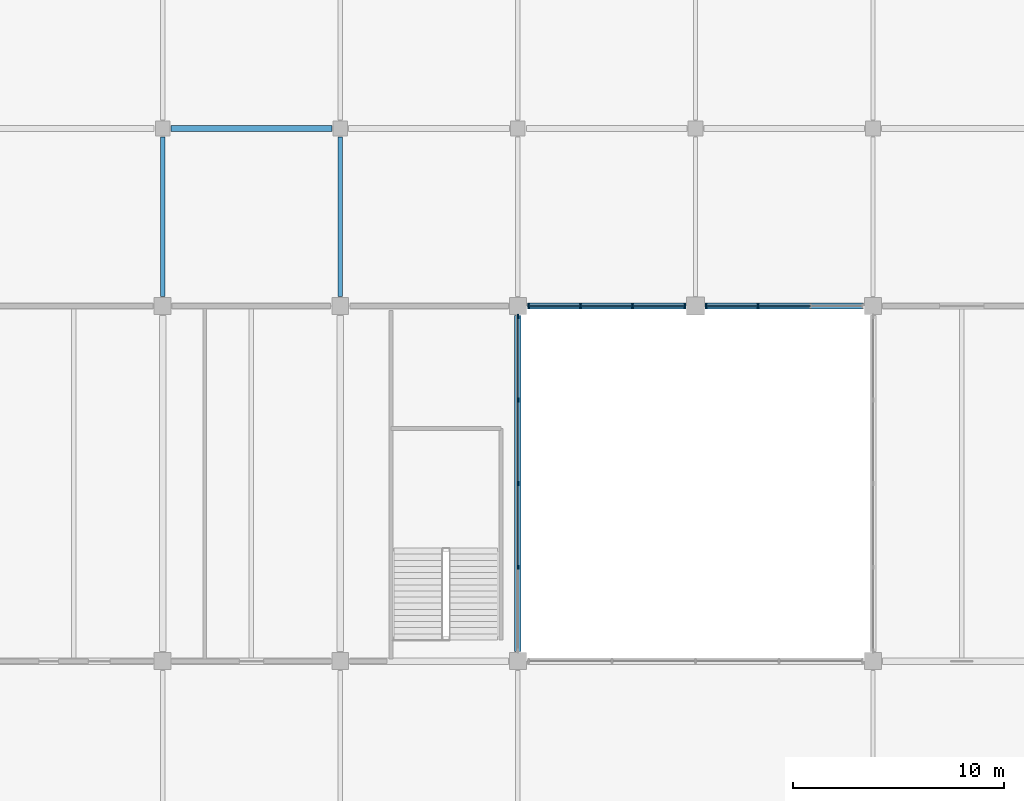
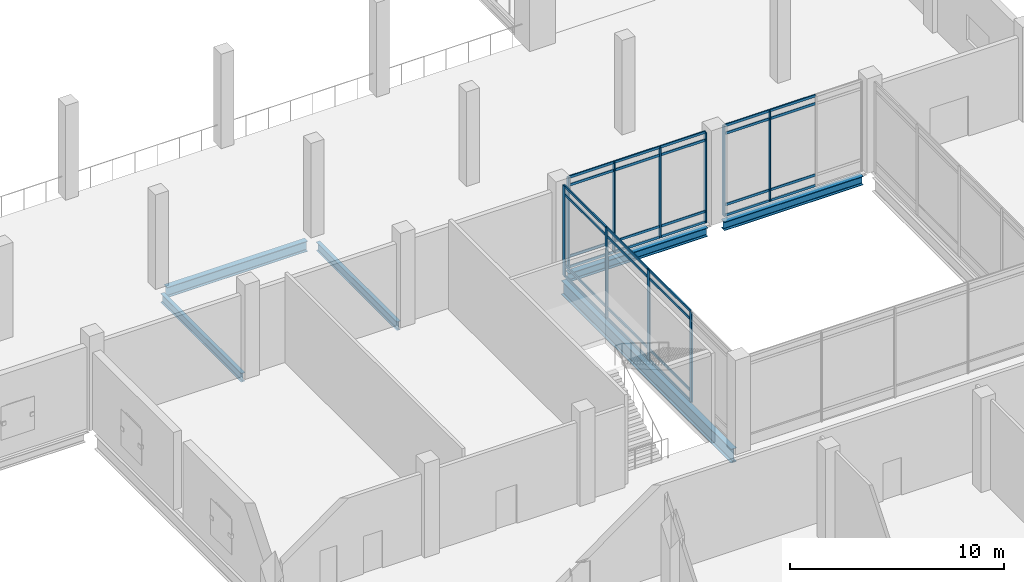
# One storey, part 5 of 72: 42 members, 6 beams, 3 elements without a shape of their own.
"""IFC4 building model written with IfcOpenShell, lengths in metres."""

from ifc_helpers import new_model, si_unit, direction, frame, origin, origin_2d, place, context, subcontext, project, spatial, rectangle, i_section, extrude, material, layer, layer_set, material_profile, profile_set, type_object, element, aggregate, save


model = new_model("IFC4")

# Units and contexts
model_context = context("Model", 3, precision=1e-05, world=origin(), true_north=direction((0.0, 1.0)))
body_context = subcontext(model_context, "Body", "Model", "MODEL_VIEW")
ifc_project = project(units=[si_unit("LENGTHUNIT", "METRE"), si_unit("AREAUNIT", "SQUARE_METRE"), si_unit("VOLUMEUNIT", "CUBIC_METRE"), si_unit("PLANEANGLEUNIT", "RADIAN"), si_unit("MASSUNIT", "GRAM", prefix="KILO")], contexts=[model_context])

# Site, building, storey
site_placement = place(None, origin())
site = spatial("IfcSite", under=ifc_project, at=site_placement, CompositionType="ELEMENT")
building_placement = place(site_placement, origin())
building = spatial("IfcBuilding", under=site, at=building_placement, Name="Qawsi Khor Wholesale Market", CompositionType="ELEMENT")
storey_placement = place(building_placement, frame((0.0, 0.0, 6.0)))
storey = spatial("IfcBuildingStorey", under=building, at=storey_placement, Name="L01", CompositionType="ELEMENT", Elevation=6.0)

# Curtain wall, members
ifc_material_1 = material(Name="Aluminium Anodised Bronze", Category="aluminium")
ifc_layer = layer(ifc_material_1, 0.179931640625, Name="Aluminium Anodised Bronze")
ifc_layer_set = layer_set([ifc_layer], Name="Aluminium Anodised Bronze")
curtain_wall_type = type_object("IfcCurtainWallType", Name="Atrium Full-Height Curtain Wall CW-02", PredefinedType="NOTDEFINED", material=ifc_layer_set)
curtain_wall_1_placement = place(storey_placement, origin())
curtain_wall_1 = element("IfcCurtainWall", 1, at=curtain_wall_1_placement, inside=storey, type_object=curtain_wall_type, Name="Curtain wall CW-CW-02-L01-017", PredefinedType="NOTDEFINED")
ifc_material_profile_1 = material_profile(ifc_material_1, rectangle(XDim=0.070068359375, YDim=0.199951171875, at=origin_2d()), Name="ALU MULLION 70x200")
ifc_profile_set_1 = profile_set([ifc_material_profile_1], Name="Aluminium Anodised Bronze")
member_type_1 = type_object("IfcMemberType", Name="Curtain Wall Mullion CW-02 ALU MULLION 70x200", PredefinedType="MULLION", material=ifc_profile_set_1)
member_1_placement = place(storey_placement, frame((50.89501953125, 42.0, -0.02001953125), z_axis=(0.0, 0.0, 1.0), x_axis=(1.0, 0.0, 0.0)))
member_1 = element("IfcMember", 2, at=member_1_placement, type_object=member_type_1, Name="Mullion CW-CW-02-L01-017-M00", PredefinedType="MULLION", context=body_context, shape_type="SweptSolid", body=[
    extrude(rectangle(XDim=0.070068359375, YDim=0.199951171875, at=origin_2d()), origin(), (0.0, 0.0, 1.0), 5.14013671875),
])
member_2_placement = place(storey_placement, frame((53.364990234375, 42.0, -0.02001953125), z_axis=(0.0, 0.0, 1.0), x_axis=(1.0, 0.0, 0.0)))
member_2 = element("IfcMember", 3, at=member_2_placement, type_object=member_type_1, Name="Mullion CW-CW-02-L01-017-M01", PredefinedType="MULLION", context=body_context, shape_type="SweptSolid", body=[
    extrude(rectangle(XDim=0.070068359375, YDim=0.199951171875, at=origin_2d()), origin(), (0.0, 0.0, 1.0), 5.14013671875),
])
member_3_placement = place(storey_placement, frame((55.8349609375, 42.0, -0.02001953125), z_axis=(0.0, 0.0, 1.0), x_axis=(1.0, 0.0, 0.0)))
member_3 = element("IfcMember", 4, at=member_3_placement, type_object=member_type_1, Name="Mullion CW-CW-02-L01-017-M02", PredefinedType="MULLION", context=body_context, shape_type="SweptSolid", body=[
    extrude(rectangle(XDim=0.070068359375, YDim=0.199951171875, at=origin_2d()), origin(), (0.0, 0.0, 1.0), 5.14013671875),
])
member_4_placement = place(storey_placement, frame((58.304931640625, 42.0, -0.02001953125), z_axis=(0.0, 0.0, 1.0), x_axis=(1.0, 0.0, 0.0)))
member_4 = element("IfcMember", 5, at=member_4_placement, type_object=member_type_1, Name="Mullion CW-CW-02-L01-017-M03", PredefinedType="MULLION", context=body_context, shape_type="SweptSolid", body=[
    extrude(rectangle(XDim=0.070068359375, YDim=0.199951171875, at=origin_2d()), origin(), (0.0, 0.0, 1.0), 5.14013671875),
])

curtain_wall_2_placement = place(storey_placement, origin())
curtain_wall_2 = element("IfcCurtainWall", 6, at=curtain_wall_2_placement, inside=storey, type_object=curtain_wall_type, Name="Curtain wall CW-CW-02-L01-018", PredefinedType="NOTDEFINED")
member_5_placement = place(storey_placement, frame((59.294921875, 42.0, -0.02001953125), z_axis=(0.0, 0.0, 1.0), x_axis=(1.0, 0.0, 0.0)))
member_5 = element("IfcMember", 7, at=member_5_placement, type_object=member_type_1, Name="Mullion CW-CW-02-L01-018-M00", PredefinedType="MULLION", context=body_context, shape_type="SweptSolid", body=[
    extrude(rectangle(XDim=0.070068359375, YDim=0.199951171875, at=origin_2d()), origin(), (0.0, 0.0, 1.0), 5.14013671875),
])
member_6_placement = place(storey_placement, frame((61.764892578125, 42.0, -0.02001953125), z_axis=(0.0, 0.0, 1.0), x_axis=(1.0, 0.0, 0.0)))
member_6 = element("IfcMember", 8, at=member_6_placement, type_object=member_type_1, Name="Mullion CW-CW-02-L01-018-M01", PredefinedType="MULLION", context=body_context, shape_type="SweptSolid", body=[
    extrude(rectangle(XDim=0.070068359375, YDim=0.199951171875, at=origin_2d()), origin(), (0.0, 0.0, 1.0), 5.14013671875),
])

curtain_wall_3_placement = place(storey_placement, origin())
curtain_wall_3 = element("IfcCurtainWall", 9, at=curtain_wall_3_placement, inside=storey, type_object=curtain_wall_type, Name="Curtain wall CW-CW-02-L01-019", PredefinedType="NOTDEFINED")
member_7_placement = place(storey_placement, frame((50.39990234375, 29.6474609375, -0.02001953125), z_axis=(0.0, 0.0, 1.0), x_axis=(1.0, 0.0, 0.0)))
member_7 = element("IfcMember", 10, at=member_7_placement, type_object=member_type_1, Name="Mullion CW-CW-02-L01-019-M01", PredefinedType="MULLION", context=body_context, shape_type="SweptSolid", body=[
    extrude(rectangle(XDim=0.070068359375, YDim=0.199951171875, at=origin_2d()), origin(), (0.0, 0.0, 1.0), 5.14013671875),
])
member_8_placement = place(storey_placement, frame((50.39990234375, 33.60009765625, -0.02001953125), z_axis=(0.0, 0.0, 1.0), x_axis=(1.0, 0.0, 0.0)))
member_8 = element("IfcMember", 11, at=member_8_placement, type_object=member_type_1, Name="Mullion CW-CW-02-L01-019-M02", PredefinedType="MULLION", context=body_context, shape_type="SweptSolid", body=[
    extrude(rectangle(XDim=0.070068359375, YDim=0.199951171875, at=origin_2d()), origin(), (0.0, 0.0, 1.0), 5.14013671875),
])
member_9_placement = place(storey_placement, frame((50.39990234375, 37.552490234375, -0.02001953125), z_axis=(0.0, 0.0, 1.0), x_axis=(1.0, 0.0, 0.0)))
member_9 = element("IfcMember", 12, at=member_9_placement, type_object=member_type_1, Name="Mullion CW-CW-02-L01-019-M03", PredefinedType="MULLION", context=body_context, shape_type="SweptSolid", body=[
    extrude(rectangle(XDim=0.070068359375, YDim=0.199951171875, at=origin_2d()), origin(), (0.0, 0.0, 1.0), 5.14013671875),
])
member_10_placement = place(storey_placement, frame((50.39990234375, 41.5048828125, -0.02001953125), z_axis=(0.0, 0.0, 1.0), x_axis=(1.0, 0.0, 0.0)))
member_10 = element("IfcMember", 13, at=member_10_placement, type_object=member_type_1, Name="Mullion CW-CW-02-L01-019-M04", PredefinedType="MULLION", context=body_context, shape_type="SweptSolid", body=[
    extrude(rectangle(XDim=0.070068359375, YDim=0.199951171875, at=origin_2d()), origin(), (0.0, 0.0, 1.0), 5.14013671875),
])

# Member
ifc_material_profile_2 = material_profile(ifc_material_1, rectangle(XDim=0.06494140625, YDim=0.139892578125, at=origin_2d()), Name="ALU TRANSOM 65x140")
ifc_profile_set_2 = profile_set([ifc_material_profile_2], Name="Aluminium Anodised Bronze")
member_type_2 = type_object("IfcMemberType", Name="Curtain Wall Transom CW-02 ALU TRANSOM 65x140", PredefinedType="USERDEFINED", material=ifc_profile_set_2)
member_11_placement = place(storey_placement, frame((50.89501953125, 42.0, 0.0), z_axis=(1.0, 0.0, 0.0), x_axis=(0.0, 1.0, 0.0)))
member_11 = element("IfcMember", 14, at=member_11_placement, type_object=member_type_2, Name="Transom CW-CW-02-L01-017-T0_00", ObjectType="TRANSOM", PredefinedType="USERDEFINED", context=body_context, shape_type="SweptSolid", body=[
    extrude(rectangle(XDim=0.06494140625, YDim=0.139892578125, at=origin_2d()), origin(), (0.0, 0.0, 1.0), 2.469970703125),
])

member_12_placement = place(storey_placement, frame((53.364990234375, 42.0, 0.0), z_axis=(1.0, 0.0, 0.0), x_axis=(0.0, 1.0, 0.0)))
member_12 = element("IfcMember", 15, at=member_12_placement, type_object=member_type_2, Name="Transom CW-CW-02-L01-017-T0_01", ObjectType="TRANSOM", PredefinedType="USERDEFINED", context=body_context, shape_type="SweptSolid", body=[
    extrude(rectangle(XDim=0.06494140625, YDim=0.139892578125, at=origin_2d()), origin(), (0.0, 0.0, 1.0), 2.469970703125),
])

member_13_placement = place(storey_placement, frame((55.8349609375, 42.0, 0.0), z_axis=(1.0, 0.0, 0.0), x_axis=(0.0, 1.0, 0.0)))
member_13 = element("IfcMember", 16, at=member_13_placement, type_object=member_type_2, Name="Transom CW-CW-02-L01-017-T0_02", ObjectType="TRANSOM", PredefinedType="USERDEFINED", context=body_context, shape_type="SweptSolid", body=[
    extrude(rectangle(XDim=0.06494140625, YDim=0.139892578125, at=origin_2d()), origin(), (0.0, 0.0, 1.0), 2.469970703125),
])

member_14_placement = place(storey_placement, frame((50.89501953125, 42.0, 0.60009765625), z_axis=(1.0, 0.0, 0.0), x_axis=(0.0, 1.0, 0.0)))
member_14 = element("IfcMember", 17, at=member_14_placement, type_object=member_type_2, Name="Transom CW-CW-02-L01-017-T1_00", ObjectType="TRANSOM", PredefinedType="USERDEFINED", context=body_context, shape_type="SweptSolid", body=[
    extrude(rectangle(XDim=0.06494140625, YDim=0.139892578125, at=origin_2d()), origin(), (0.0, 0.0, 1.0), 2.469970703125),
])

member_15_placement = place(storey_placement, frame((53.364990234375, 42.0, 0.60009765625), z_axis=(1.0, 0.0, 0.0), x_axis=(0.0, 1.0, 0.0)))
member_15 = element("IfcMember", 18, at=member_15_placement, type_object=member_type_2, Name="Transom CW-CW-02-L01-017-T1_01", ObjectType="TRANSOM", PredefinedType="USERDEFINED", context=body_context, shape_type="SweptSolid", body=[
    extrude(rectangle(XDim=0.06494140625, YDim=0.139892578125, at=origin_2d()), origin(), (0.0, 0.0, 1.0), 2.469970703125),
])

member_16_placement = place(storey_placement, frame((55.8349609375, 42.0, 0.60009765625), z_axis=(1.0, 0.0, 0.0), x_axis=(0.0, 1.0, 0.0)))
member_16 = element("IfcMember", 19, at=member_16_placement, type_object=member_type_2, Name="Transom CW-CW-02-L01-017-T1_02", ObjectType="TRANSOM", PredefinedType="USERDEFINED", context=body_context, shape_type="SweptSolid", body=[
    extrude(rectangle(XDim=0.06494140625, YDim=0.139892578125, at=origin_2d()), origin(), (0.0, 0.0, 1.0), 2.469970703125),
])

member_17_placement = place(storey_placement, frame((50.89501953125, 42.0, 4.669921875), z_axis=(1.0, 0.0, 0.0), x_axis=(0.0, 1.0, 0.0)))
member_17 = element("IfcMember", 20, at=member_17_placement, type_object=member_type_2, Name="Transom CW-CW-02-L01-017-T2_00", ObjectType="TRANSOM", PredefinedType="USERDEFINED", context=body_context, shape_type="SweptSolid", body=[
    extrude(rectangle(XDim=0.06494140625, YDim=0.139892578125, at=origin_2d()), origin(), (0.0, 0.0, 1.0), 2.469970703125),
])

member_18_placement = place(storey_placement, frame((53.364990234375, 42.0, 4.669921875), z_axis=(1.0, 0.0, 0.0), x_axis=(0.0, 1.0, 0.0)))
member_18 = element("IfcMember", 21, at=member_18_placement, type_object=member_type_2, Name="Transom CW-CW-02-L01-017-T2_01", ObjectType="TRANSOM", PredefinedType="USERDEFINED", context=body_context, shape_type="SweptSolid", body=[
    extrude(rectangle(XDim=0.06494140625, YDim=0.139892578125, at=origin_2d()), origin(), (0.0, 0.0, 1.0), 2.469970703125),
])

member_19_placement = place(storey_placement, frame((55.8349609375, 42.0, 4.669921875), z_axis=(1.0, 0.0, 0.0), x_axis=(0.0, 1.0, 0.0)))
member_19 = element("IfcMember", 22, at=member_19_placement, type_object=member_type_2, Name="Transom CW-CW-02-L01-017-T2_02", ObjectType="TRANSOM", PredefinedType="USERDEFINED", context=body_context, shape_type="SweptSolid", body=[
    extrude(rectangle(XDim=0.06494140625, YDim=0.139892578125, at=origin_2d()), origin(), (0.0, 0.0, 1.0), 2.469970703125),
])

member_20_placement = place(storey_placement, frame((50.89501953125, 42.0, 5.1201171875), z_axis=(1.0, 0.0, 0.0), x_axis=(0.0, 1.0, 0.0)))
member_20 = element("IfcMember", 23, at=member_20_placement, type_object=member_type_2, Name="Transom CW-CW-02-L01-017-T3_00", ObjectType="TRANSOM", PredefinedType="USERDEFINED", context=body_context, shape_type="SweptSolid", body=[
    extrude(rectangle(XDim=0.06494140625, YDim=0.139892578125, at=origin_2d()), origin(), (0.0, 0.0, 1.0), 2.469970703125),
])

member_21_placement = place(storey_placement, frame((53.364990234375, 42.0, 5.1201171875), z_axis=(1.0, 0.0, 0.0), x_axis=(0.0, 1.0, 0.0)))
member_21 = element("IfcMember", 24, at=member_21_placement, type_object=member_type_2, Name="Transom CW-CW-02-L01-017-T3_01", ObjectType="TRANSOM", PredefinedType="USERDEFINED", context=body_context, shape_type="SweptSolid", body=[
    extrude(rectangle(XDim=0.06494140625, YDim=0.139892578125, at=origin_2d()), origin(), (0.0, 0.0, 1.0), 2.469970703125),
])

member_22_placement = place(storey_placement, frame((55.8349609375, 42.0, 5.1201171875), z_axis=(1.0, 0.0, 0.0), x_axis=(0.0, 1.0, 0.0)))
member_22 = element("IfcMember", 25, at=member_22_placement, type_object=member_type_2, Name="Transom CW-CW-02-L01-017-T3_02", ObjectType="TRANSOM", PredefinedType="USERDEFINED", context=body_context, shape_type="SweptSolid", body=[
    extrude(rectangle(XDim=0.06494140625, YDim=0.139892578125, at=origin_2d()), origin(), (0.0, 0.0, 1.0), 2.469970703125),
])

aggregate(curtain_wall_1, [member_1, member_2, member_3, member_4, member_11, member_12, member_13, member_14, member_15, member_16, member_17, member_18, member_19, member_20, member_21, member_22])

member_23_placement = place(storey_placement, frame((59.294921875, 42.0, 0.0), z_axis=(1.0, 0.0, 0.0), x_axis=(0.0, 1.0, 0.0)))
member_23 = element("IfcMember", 26, at=member_23_placement, type_object=member_type_2, Name="Transom CW-CW-02-L01-018-T0_00", ObjectType="TRANSOM", PredefinedType="USERDEFINED", context=body_context, shape_type="SweptSolid", body=[
    extrude(rectangle(XDim=0.06494140625, YDim=0.139892578125, at=origin_2d()), origin(), (0.0, 0.0, 1.0), 2.469970703125),
])

member_24_placement = place(storey_placement, frame((61.764892578125, 42.0, 0.0), z_axis=(1.0, 0.0, 0.0), x_axis=(0.0, 1.0, 0.0)))
member_24 = element("IfcMember", 27, at=member_24_placement, type_object=member_type_2, Name="Transom CW-CW-02-L01-018-T0_01", ObjectType="TRANSOM", PredefinedType="USERDEFINED", context=body_context, shape_type="SweptSolid", body=[
    extrude(rectangle(XDim=0.06494140625, YDim=0.139892578125, at=origin_2d()), origin(), (0.0, 0.0, 1.0), 2.47021484375),
])

member_25_placement = place(storey_placement, frame((59.294921875, 42.0, 0.60009765625), z_axis=(1.0, 0.0, 0.0), x_axis=(0.0, 1.0, 0.0)))
member_25 = element("IfcMember", 28, at=member_25_placement, type_object=member_type_2, Name="Transom CW-CW-02-L01-018-T1_00", ObjectType="TRANSOM", PredefinedType="USERDEFINED", context=body_context, shape_type="SweptSolid", body=[
    extrude(rectangle(XDim=0.06494140625, YDim=0.139892578125, at=origin_2d()), origin(), (0.0, 0.0, 1.0), 2.469970703125),
])

member_26_placement = place(storey_placement, frame((61.764892578125, 42.0, 0.60009765625), z_axis=(1.0, 0.0, 0.0), x_axis=(0.0, 1.0, 0.0)))
member_26 = element("IfcMember", 29, at=member_26_placement, type_object=member_type_2, Name="Transom CW-CW-02-L01-018-T1_01", ObjectType="TRANSOM", PredefinedType="USERDEFINED", context=body_context, shape_type="SweptSolid", body=[
    extrude(rectangle(XDim=0.06494140625, YDim=0.139892578125, at=origin_2d()), origin(), (0.0, 0.0, 1.0), 2.47021484375),
])

member_27_placement = place(storey_placement, frame((59.294921875, 42.0, 4.669921875), z_axis=(1.0, 0.0, 0.0), x_axis=(0.0, 1.0, 0.0)))
member_27 = element("IfcMember", 30, at=member_27_placement, type_object=member_type_2, Name="Transom CW-CW-02-L01-018-T2_00", ObjectType="TRANSOM", PredefinedType="USERDEFINED", context=body_context, shape_type="SweptSolid", body=[
    extrude(rectangle(XDim=0.06494140625, YDim=0.139892578125, at=origin_2d()), origin(), (0.0, 0.0, 1.0), 2.469970703125),
])

member_28_placement = place(storey_placement, frame((61.764892578125, 42.0, 4.669921875), z_axis=(1.0, 0.0, 0.0), x_axis=(0.0, 1.0, 0.0)))
member_28 = element("IfcMember", 31, at=member_28_placement, type_object=member_type_2, Name="Transom CW-CW-02-L01-018-T2_01", ObjectType="TRANSOM", PredefinedType="USERDEFINED", context=body_context, shape_type="SweptSolid", body=[
    extrude(rectangle(XDim=0.06494140625, YDim=0.139892578125, at=origin_2d()), origin(), (0.0, 0.0, 1.0), 2.47021484375),
])

member_29_placement = place(storey_placement, frame((59.294921875, 42.0, 5.1201171875), z_axis=(1.0, 0.0, 0.0), x_axis=(0.0, 1.0, 0.0)))
member_29 = element("IfcMember", 32, at=member_29_placement, type_object=member_type_2, Name="Transom CW-CW-02-L01-018-T3_00", ObjectType="TRANSOM", PredefinedType="USERDEFINED", context=body_context, shape_type="SweptSolid", body=[
    extrude(rectangle(XDim=0.06494140625, YDim=0.139892578125, at=origin_2d()), origin(), (0.0, 0.0, 1.0), 2.469970703125),
])

member_30_placement = place(storey_placement, frame((61.764892578125, 42.0, 5.1201171875), z_axis=(1.0, 0.0, 0.0), x_axis=(0.0, 1.0, 0.0)))
member_30 = element("IfcMember", 33, at=member_30_placement, type_object=member_type_2, Name="Transom CW-CW-02-L01-018-T3_01", ObjectType="TRANSOM", PredefinedType="USERDEFINED", context=body_context, shape_type="SweptSolid", body=[
    extrude(rectangle(XDim=0.06494140625, YDim=0.139892578125, at=origin_2d()), origin(), (0.0, 0.0, 1.0), 2.47021484375),
])

aggregate(curtain_wall_2, [member_5, member_6, member_23, member_24, member_25, member_26, member_27, member_28, member_29, member_30])

member_31_placement = place(storey_placement, frame((50.39990234375, 29.6474609375, 0.0), z_axis=(0.0, 1.0, 0.0), x_axis=(-1.0, 0.0, 0.0)))
member_31 = element("IfcMember", 34, at=member_31_placement, type_object=member_type_2, Name="Transom CW-CW-02-L01-019-T0_01", ObjectType="TRANSOM", PredefinedType="USERDEFINED", context=body_context, shape_type="SweptSolid", body=[
    extrude(rectangle(XDim=0.06494140625, YDim=0.139892578125, at=origin_2d()), origin(), (0.0, 0.0, 1.0), 3.95263671875),
])

member_32_placement = place(storey_placement, frame((50.39990234375, 33.60009765625, 0.0), z_axis=(0.0, 1.0, 0.0), x_axis=(-1.0, 0.0, 0.0)))
member_32 = element("IfcMember", 35, at=member_32_placement, type_object=member_type_2, Name="Transom CW-CW-02-L01-019-T0_02", ObjectType="TRANSOM", PredefinedType="USERDEFINED", context=body_context, shape_type="SweptSolid", body=[
    extrude(rectangle(XDim=0.06494140625, YDim=0.139892578125, at=origin_2d()), origin(), (0.0, 0.0, 1.0), 3.952392578125),
])

member_33_placement = place(storey_placement, frame((50.39990234375, 37.552490234375, 0.0), z_axis=(0.0, 1.0, 0.0), x_axis=(-1.0, 0.0, 0.0)))
member_33 = element("IfcMember", 36, at=member_33_placement, type_object=member_type_2, Name="Transom CW-CW-02-L01-019-T0_03", ObjectType="TRANSOM", PredefinedType="USERDEFINED", context=body_context, shape_type="SweptSolid", body=[
    extrude(rectangle(XDim=0.06494140625, YDim=0.139892578125, at=origin_2d()), origin(), (0.0, 0.0, 1.0), 3.952392578125),
])

member_34_placement = place(storey_placement, frame((50.39990234375, 29.6474609375, 0.60009765625), z_axis=(0.0, 1.0, 0.0), x_axis=(-1.0, 0.0, 0.0)))
member_34 = element("IfcMember", 37, at=member_34_placement, type_object=member_type_2, Name="Transom CW-CW-02-L01-019-T1_01", ObjectType="TRANSOM", PredefinedType="USERDEFINED", context=body_context, shape_type="SweptSolid", body=[
    extrude(rectangle(XDim=0.06494140625, YDim=0.139892578125, at=origin_2d()), origin(), (0.0, 0.0, 1.0), 3.95263671875),
])

member_35_placement = place(storey_placement, frame((50.39990234375, 33.60009765625, 0.60009765625), z_axis=(0.0, 1.0, 0.0), x_axis=(-1.0, 0.0, 0.0)))
member_35 = element("IfcMember", 38, at=member_35_placement, type_object=member_type_2, Name="Transom CW-CW-02-L01-019-T1_02", ObjectType="TRANSOM", PredefinedType="USERDEFINED", context=body_context, shape_type="SweptSolid", body=[
    extrude(rectangle(XDim=0.06494140625, YDim=0.139892578125, at=origin_2d()), origin(), (0.0, 0.0, 1.0), 3.952392578125),
])

member_36_placement = place(storey_placement, frame((50.39990234375, 37.552490234375, 0.60009765625), z_axis=(0.0, 1.0, 0.0), x_axis=(-1.0, 0.0, 0.0)))
member_36 = element("IfcMember", 39, at=member_36_placement, type_object=member_type_2, Name="Transom CW-CW-02-L01-019-T1_03", ObjectType="TRANSOM", PredefinedType="USERDEFINED", context=body_context, shape_type="SweptSolid", body=[
    extrude(rectangle(XDim=0.06494140625, YDim=0.139892578125, at=origin_2d()), origin(), (0.0, 0.0, 1.0), 3.952392578125),
])

member_37_placement = place(storey_placement, frame((50.39990234375, 29.6474609375, 4.669921875), z_axis=(0.0, 1.0, 0.0), x_axis=(-1.0, 0.0, 0.0)))
member_37 = element("IfcMember", 40, at=member_37_placement, type_object=member_type_2, Name="Transom CW-CW-02-L01-019-T2_01", ObjectType="TRANSOM", PredefinedType="USERDEFINED", context=body_context, shape_type="SweptSolid", body=[
    extrude(rectangle(XDim=0.06494140625, YDim=0.139892578125, at=origin_2d()), origin(), (0.0, 0.0, 1.0), 3.95263671875),
])

member_38_placement = place(storey_placement, frame((50.39990234375, 33.60009765625, 4.669921875), z_axis=(0.0, 1.0, 0.0), x_axis=(-1.0, 0.0, 0.0)))
member_38 = element("IfcMember", 41, at=member_38_placement, type_object=member_type_2, Name="Transom CW-CW-02-L01-019-T2_02", ObjectType="TRANSOM", PredefinedType="USERDEFINED", context=body_context, shape_type="SweptSolid", body=[
    extrude(rectangle(XDim=0.06494140625, YDim=0.139892578125, at=origin_2d()), origin(), (0.0, 0.0, 1.0), 3.952392578125),
])

member_39_placement = place(storey_placement, frame((50.39990234375, 37.552490234375, 4.669921875), z_axis=(0.0, 1.0, 0.0), x_axis=(-1.0, 0.0, 0.0)))
member_39 = element("IfcMember", 42, at=member_39_placement, type_object=member_type_2, Name="Transom CW-CW-02-L01-019-T2_03", ObjectType="TRANSOM", PredefinedType="USERDEFINED", context=body_context, shape_type="SweptSolid", body=[
    extrude(rectangle(XDim=0.06494140625, YDim=0.139892578125, at=origin_2d()), origin(), (0.0, 0.0, 1.0), 3.952392578125),
])

member_40_placement = place(storey_placement, frame((50.39990234375, 29.6474609375, 5.1201171875), z_axis=(0.0, 1.0, 0.0), x_axis=(-1.0, 0.0, 0.0)))
member_40 = element("IfcMember", 43, at=member_40_placement, type_object=member_type_2, Name="Transom CW-CW-02-L01-019-T3_01", ObjectType="TRANSOM", PredefinedType="USERDEFINED", context=body_context, shape_type="SweptSolid", body=[
    extrude(rectangle(XDim=0.06494140625, YDim=0.139892578125, at=origin_2d()), origin(), (0.0, 0.0, 1.0), 3.95263671875),
])

member_41_placement = place(storey_placement, frame((50.39990234375, 33.60009765625, 5.1201171875), z_axis=(0.0, 1.0, 0.0), x_axis=(-1.0, 0.0, 0.0)))
member_41 = element("IfcMember", 44, at=member_41_placement, type_object=member_type_2, Name="Transom CW-CW-02-L01-019-T3_02", ObjectType="TRANSOM", PredefinedType="USERDEFINED", context=body_context, shape_type="SweptSolid", body=[
    extrude(rectangle(XDim=0.06494140625, YDim=0.139892578125, at=origin_2d()), origin(), (0.0, 0.0, 1.0), 3.952392578125),
])

member_42_placement = place(storey_placement, frame((50.39990234375, 37.552490234375, 5.1201171875), z_axis=(0.0, 1.0, 0.0), x_axis=(-1.0, 0.0, 0.0)))
member_42 = element("IfcMember", 45, at=member_42_placement, type_object=member_type_2, Name="Transom CW-CW-02-L01-019-T3_03", ObjectType="TRANSOM", PredefinedType="USERDEFINED", context=body_context, shape_type="SweptSolid", body=[
    extrude(rectangle(XDim=0.06494140625, YDim=0.139892578125, at=origin_2d()), origin(), (0.0, 0.0, 1.0), 3.952392578125),
])

aggregate(curtain_wall_3, [member_7, member_8, member_9, member_10, member_31, member_32, member_33, member_34, member_35, member_36, member_37, member_38, member_39, member_40, member_41, member_42])

# Beams
ifc_material_2 = material(Name="Steel S355", Category="steel")
ifc_material_profile_3 = material_profile(ifc_material_2, i_section(OverallWidth=0.300048828125, OverallDepth=0.5, WebThickness=0.014404296875, FlangeThickness=0.028076171875, FilletRadius=0.027099609375, at=origin_2d()), Name="HEB 500")
ifc_profile_set_3 = profile_set([ifc_material_profile_3], Name="Steel S355")
beam_type_1 = type_object("IfcBeamType", Name="Heavy Edge Girder HEB 500", PredefinedType="BEAM", material=ifc_profile_set_3)
for number, where, z_axis, x_axis, name in (
    (46, (50.85009765625, 42.0, -0.530029296875), (1.0, 0.0, 0.0), (0.0, 1.0, 0.0), "BM-X-L01-06_+05"),
    (47, (59.25, 42.0, -0.530029296875), (1.0, 0.0, 0.0), (0.0, 1.0, 0.0), "BM-X-L01-07_+05"),
):
    element("IfcBeam", number, at=place(storey_placement, frame(where, z_axis=z_axis, x_axis=x_axis)), inside=storey, type_object=beam_type_1, Name=name, PredefinedType="BEAM", context=body_context, shape_type="SweptSolid", body=[
        extrude(i_section(OverallWidth=0.300048828125, OverallDepth=0.5, WebThickness=0.014404296875, FlangeThickness=0.028076171875, FilletRadius=0.027099609375, at=origin_2d()), origin(), (0.0, 0.0, 1.0), 7.5),
    ])
ifc_material_profile_4 = material_profile(ifc_material_2, i_section(OverallWidth=0.300048828125, OverallDepth=0.590087890625, WebThickness=0.012939453125, FlangeThickness=0.02490234375, FilletRadius=0.027099609375, at=origin_2d()), Name="HEA 600")
ifc_profile_set_4 = profile_set([ifc_material_profile_4], Name="Steel S355")
beam_type_2 = type_object("IfcBeamType", Name="Primary Girder HEA 600", PredefinedType="BEAM", material=ifc_profile_set_4)
beam_1_placement = place(storey_placement, frame((34.0, 50.39990234375, -0.56494140625), z_axis=(1.0, 0.0, 0.0), x_axis=(0.0, 1.0, 0.0)))
element("IfcBeam", 48, at=beam_1_placement, inside=storey, type_object=beam_type_2, Name="BM-X-L01-04_+06", PredefinedType="BEAM", context=body_context, shape_type="SweptSolid", body=[
    extrude(i_section(OverallWidth=0.300048828125, OverallDepth=0.590087890625, WebThickness=0.012939453125, FlangeThickness=0.02490234375, FilletRadius=0.027099609375, at=origin_2d()), origin(), (0.0, 0.0, 1.0), 7.60009765625),
])
ifc_material_profile_5 = material_profile(ifc_material_2, i_section(OverallWidth=0.300048828125, OverallDepth=0.7900390625, WebThickness=0.014892578125, FlangeThickness=0.028076171875, FilletRadius=0.030029296875, at=origin_2d()), Name="HEA 800")
ifc_profile_set_5 = profile_set([ifc_material_profile_5], Name="Steel S355")
beam_type_3 = type_object("IfcBeamType", Name="Primary Girder HEA 800", PredefinedType="BEAM", material=ifc_profile_set_5)
beam_2_placement = place(storey_placement, frame((50.39990234375, 25.64990234375, -0.675048828125), z_axis=(0.0, 1.0, 0.0), x_axis=(-1.0, 0.0, 0.0)))
element("IfcBeam", 49, at=beam_2_placement, inside=storey, type_object=beam_type_3, Name="BM-YL-L01-06_+03", PredefinedType="BEAM", context=body_context, shape_type="SweptSolid", body=[
    extrude(i_section(OverallWidth=0.300048828125, OverallDepth=0.7900390625, WebThickness=0.014892578125, FlangeThickness=0.028076171875, FilletRadius=0.030029296875, at=origin_2d()), origin(), (0.0, 0.0, 1.0), 15.900146484375),
])
ifc_material_profile_6 = material_profile(ifc_material_2, i_section(OverallWidth=0.199951171875, OverallDepth=0.5, WebThickness=0.01025390625, FlangeThickness=0.01611328125, FilletRadius=0.02099609375, at=origin_2d()), Name="IPE 500")
ifc_profile_set_6 = profile_set([ifc_material_profile_6], Name="Steel S355")
beam_type_4 = type_object("IfcBeamType", Name="Secondary Beam IPE 500", PredefinedType="BEAM", material=ifc_profile_set_6)
for number, where, z_axis, x_axis, name in (
    (50, (33.60009765625, 42.449951171875, -0.52001953125), (0.0, 1.0, 0.0), (-1.0, 0.0, 0.0), "BM-Y-L01-04_+05"),
    (51, (42.0, 42.449951171875, -0.52001953125), (0.0, 1.0, 0.0), (-1.0, 0.0, 0.0), "BM-Y-L01-05_+05"),
):
    element("IfcBeam", number, at=place(storey_placement, frame(where, z_axis=z_axis, x_axis=x_axis)), inside=storey, type_object=beam_type_4, Name=name, PredefinedType="BEAM", context=body_context, shape_type="SweptSolid", body=[
        extrude(i_section(OverallWidth=0.199951171875, OverallDepth=0.5, WebThickness=0.01025390625, FlangeThickness=0.01611328125, FilletRadius=0.02099609375, at=origin_2d()), origin(), (0.0, 0.0, 1.0), 7.550048828125),
    ])

save(model, "model.ifc")
